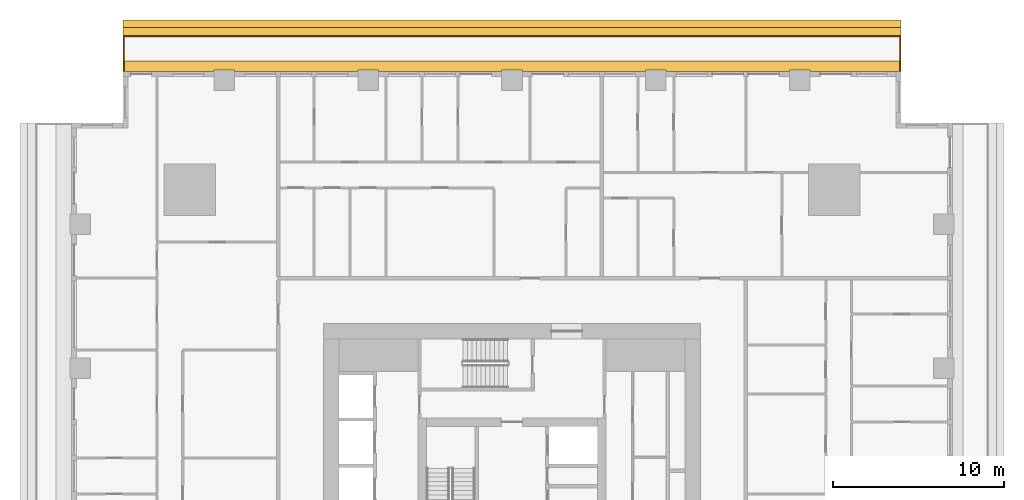
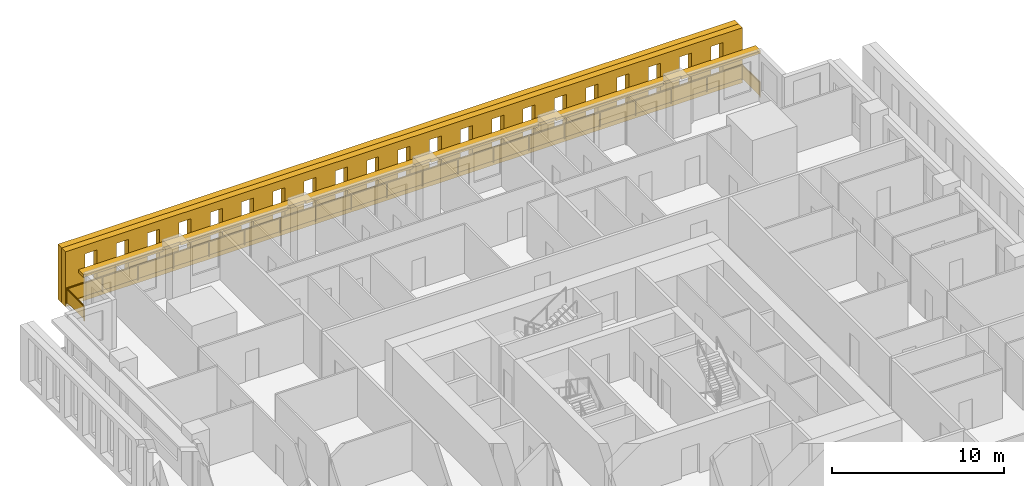
# One storey, part 15 of 15: 3 shading devices, 1 railing.
"""IFC4 building model written with IfcOpenShell, lengths in metres."""

from ifc_helpers import new_model, si_unit, direction, frame, origin, origin_2d, place, context, subcontext, project, spatial, polyline, rectangle, outline, extrude, material, layer, layer_set, type_object, element, save


model = new_model("IFC4")

# Units and contexts
model_context = context("Model", 3, precision=1e-05, world=origin(), true_north=direction((0.0, 1.0)))
body_context = subcontext(model_context, "Body", "Model", "MODEL_VIEW")
ifc_project = project(units=[si_unit("LENGTHUNIT", "METRE"), si_unit("AREAUNIT", "SQUARE_METRE"), si_unit("VOLUMEUNIT", "CUBIC_METRE"), si_unit("PLANEANGLEUNIT", "RADIAN"), si_unit("MASSUNIT", "GRAM", prefix="KILO")], contexts=[model_context])

# Site, building, storey
site_placement = place(None, origin())
site = spatial("IfcSite", under=ifc_project, at=site_placement, CompositionType="ELEMENT")
building_placement = place(site_placement, origin())
building = spatial("IfcBuilding", under=site, at=building_placement, Name="Khepri Terraces", CompositionType="ELEMENT")
storey_placement = place(building_placement, frame((0.0, 0.0, 30.89990234375)))
storey = spatial("IfcBuildingStorey", under=building, at=storey_placement, Name="L06", CompositionType="ELEMENT", Elevation=30.89990234375)

# Railing
ifc_material_1 = material(Name="Stainless steel grade 316", Category="steel")
railing_type = type_object("IfcRailingType", Name="GRD-BAL-1100", PredefinedType="GUARDRAIL", material=ifc_material_1)
railing_placement = place(storey_placement, frame((22.669921875, 25.719970703125, 0.0)))
element("IfcRailing", 1, at=railing_placement, inside=storey, type_object=railing_type, Name="Balcony guard L06 N", PredefinedType="GUARDRAIL", context=body_context, shape_type="SweptSolid", body=[
    extrude(rectangle(XDim=0.050048828125, YDim=0.06005859375, at=origin_2d()), frame((0.0, 0.0, 1.070068359375), z_axis=(0.0, 1.0, 0.0), x_axis=(-1.0, 0.0, 0.0)), (0.0, 0.0, 1.0), 2.050048828125),
    extrude(rectangle(XDim=2.0, YDim=0.011962890625, at=origin_2d()), frame((0.0, 1.02490234375, 0.10009765625), z_axis=(0.0, 0.0, 1.0), x_axis=(0.0, 1.0, 0.0)), (0.0, 0.0, 1.0), 0.93994140625),
    extrude(rectangle(XDim=0.050048828125, YDim=0.06005859375, at=origin_2d()), frame((0.0, 2.050048828125, 1.070068359375), z_axis=(-1.0, 0.0, 0.0), x_axis=(0.0, -1.0, 0.0)), (0.0, 0.0, 1.0), 45.33984375),
    extrude(rectangle(XDim=2.336181640625, YDim=0.011962890625, at=origin_2d()), frame((-1.193115234375, 2.050048828125, 0.10009765625), z_axis=(0.0, 0.0, 1.0), x_axis=(-1.0, 0.0, 0.0)), (0.0, 0.0, 1.0), 0.93994140625),
    extrude(rectangle(XDim=2.336181640625, YDim=0.011962890625, at=origin_2d()), frame((-3.579345703125, 2.050048828125, 0.10009765625), z_axis=(0.0, 0.0, 1.0), x_axis=(-1.0, 0.0, 0.0)), (0.0, 0.0, 1.0), 0.93994140625),
    extrude(rectangle(XDim=2.336181640625, YDim=0.011962890625, at=origin_2d()), frame((-5.9658203125, 2.050048828125, 0.10009765625), z_axis=(0.0, 0.0, 1.0), x_axis=(-1.0, 0.0, 0.0)), (0.0, 0.0, 1.0), 0.93994140625),
    extrude(rectangle(XDim=2.336181640625, YDim=0.011962890625, at=origin_2d()), frame((-8.35205078125, 2.050048828125, 0.10009765625), z_axis=(0.0, 0.0, 1.0), x_axis=(-1.0, 0.0, 0.0)), (0.0, 0.0, 1.0), 0.93994140625),
    extrude(rectangle(XDim=2.336181640625, YDim=0.011962890625, at=origin_2d()), frame((-10.73828125, 2.050048828125, 0.10009765625), z_axis=(0.0, 0.0, 1.0), x_axis=(-1.0, 0.0, 0.0)), (0.0, 0.0, 1.0), 0.93994140625),
    extrude(rectangle(XDim=2.336181640625, YDim=0.011962890625, at=origin_2d()), frame((-13.124755859375, 2.050048828125, 0.10009765625), z_axis=(0.0, 0.0, 1.0), x_axis=(-1.0, 0.0, 0.0)), (0.0, 0.0, 1.0), 0.93994140625),
    extrude(rectangle(XDim=2.336181640625, YDim=0.011962890625, at=origin_2d()), frame((-15.510986328125, 2.050048828125, 0.10009765625), z_axis=(0.0, 0.0, 1.0), x_axis=(-1.0, 0.0, 0.0)), (0.0, 0.0, 1.0), 0.93994140625),
    extrude(rectangle(XDim=2.336181640625, YDim=0.011962890625, at=origin_2d()), frame((-17.897216796875, 2.050048828125, 0.10009765625), z_axis=(0.0, 0.0, 1.0), x_axis=(-1.0, 0.0, 0.0)), (0.0, 0.0, 1.0), 0.93994140625),
    extrude(rectangle(XDim=2.336181640625, YDim=0.011962890625, at=origin_2d()), frame((-20.28369140625, 2.050048828125, 0.10009765625), z_axis=(0.0, 0.0, 1.0), x_axis=(-1.0, 0.0, 0.0)), (0.0, 0.0, 1.0), 0.93994140625),
    extrude(rectangle(XDim=2.336181640625, YDim=0.011962890625, at=origin_2d()), frame((-22.669921875, 2.050048828125, 0.10009765625), z_axis=(0.0, 0.0, 1.0), x_axis=(-1.0, 0.0, 0.0)), (0.0, 0.0, 1.0), 0.93994140625),
    extrude(rectangle(XDim=2.336181640625, YDim=0.011962890625, at=origin_2d()), frame((-25.05615234375, 2.050048828125, 0.10009765625), z_axis=(0.0, 0.0, 1.0), x_axis=(-1.0, 0.0, 0.0)), (0.0, 0.0, 1.0), 0.93994140625),
    extrude(rectangle(XDim=2.336181640625, YDim=0.011962890625, at=origin_2d()), frame((-27.442626953125, 2.050048828125, 0.10009765625), z_axis=(0.0, 0.0, 1.0), x_axis=(-1.0, 0.0, 0.0)), (0.0, 0.0, 1.0), 0.93994140625),
    extrude(rectangle(XDim=2.336181640625, YDim=0.011962890625, at=origin_2d()), frame((-29.828857421875, 2.050048828125, 0.10009765625), z_axis=(0.0, 0.0, 1.0), x_axis=(-1.0, 0.0, 0.0)), (0.0, 0.0, 1.0), 0.93994140625),
    extrude(rectangle(XDim=2.336181640625, YDim=0.011962890625, at=origin_2d()), frame((-32.215087890625, 2.050048828125, 0.10009765625), z_axis=(0.0, 0.0, 1.0), x_axis=(-1.0, 0.0, 0.0)), (0.0, 0.0, 1.0), 0.93994140625),
    extrude(rectangle(XDim=2.336181640625, YDim=0.011962890625, at=origin_2d()), frame((-34.6015625, 2.050048828125, 0.10009765625), z_axis=(0.0, 0.0, 1.0), x_axis=(-1.0, 0.0, 0.0)), (0.0, 0.0, 1.0), 0.93994140625),
    extrude(rectangle(XDim=2.336181640625, YDim=0.011962890625, at=origin_2d()), frame((-36.98779296875, 2.050048828125, 0.10009765625), z_axis=(0.0, 0.0, 1.0), x_axis=(-1.0, 0.0, 0.0)), (0.0, 0.0, 1.0), 0.93994140625),
    extrude(rectangle(XDim=2.336181640625, YDim=0.011962890625, at=origin_2d()), frame((-39.3740234375, 2.050048828125, 0.10009765625), z_axis=(0.0, 0.0, 1.0), x_axis=(-1.0, 0.0, 0.0)), (0.0, 0.0, 1.0), 0.93994140625),
    extrude(rectangle(XDim=2.336181640625, YDim=0.011962890625, at=origin_2d()), frame((-41.760498046875, 2.050048828125, 0.10009765625), z_axis=(0.0, 0.0, 1.0), x_axis=(-1.0, 0.0, 0.0)), (0.0, 0.0, 1.0), 0.93994140625),
    extrude(rectangle(XDim=2.336181640625, YDim=0.011962890625, at=origin_2d()), frame((-44.146728515625, 2.050048828125, 0.10009765625), z_axis=(0.0, 0.0, 1.0), x_axis=(-1.0, 0.0, 0.0)), (0.0, 0.0, 1.0), 0.93994140625),
    extrude(rectangle(XDim=0.050048828125, YDim=0.06005859375, at=origin_2d()), frame((-45.33984375, 2.050048828125, 1.070068359375), z_axis=(0.0, -1.0, 0.0), x_axis=(1.0, 0.0, 0.0)), (0.0, 0.0, 1.0), 2.050048828125),
    extrude(rectangle(XDim=2.0, YDim=0.011962890625, at=origin_2d()), frame((-45.33984375, 1.02490234375, 0.10009765625), z_axis=(0.0, 0.0, 1.0), x_axis=(0.0, -1.0, 0.0)), (0.0, 0.0, 1.0), 0.93994140625),
    extrude(rectangle(XDim=0.050048828125, YDim=0.050048828125, at=origin_2d()), origin(), (0.0, 0.0, 1.0), 1.0400390625),
    extrude(rectangle(XDim=0.050048828125, YDim=0.050048828125, at=origin_2d()), frame((0.0, 2.050048828125, 0.0)), (0.0, 0.0, 1.0), 1.0400390625),
    extrude(rectangle(XDim=0.050048828125, YDim=0.050048828125, at=origin_2d()), frame((-2.38623046875, 2.050048828125, 0.0)), (0.0, 0.0, 1.0), 1.0400390625),
    extrude(rectangle(XDim=0.050048828125, YDim=0.050048828125, at=origin_2d()), frame((-4.772705078125, 2.050048828125, 0.0)), (0.0, 0.0, 1.0), 1.0400390625),
    extrude(rectangle(XDim=0.050048828125, YDim=0.050048828125, at=origin_2d()), frame((-7.158935546875, 2.050048828125, 0.0)), (0.0, 0.0, 1.0), 1.0400390625),
    extrude(rectangle(XDim=0.050048828125, YDim=0.050048828125, at=origin_2d()), frame((-9.545166015625, 2.050048828125, 0.0)), (0.0, 0.0, 1.0), 1.0400390625),
    extrude(rectangle(XDim=0.050048828125, YDim=0.050048828125, at=origin_2d()), frame((-11.931640625, 2.050048828125, 0.0)), (0.0, 0.0, 1.0), 1.0400390625),
    extrude(rectangle(XDim=0.050048828125, YDim=0.050048828125, at=origin_2d()), frame((-14.31787109375, 2.050048828125, 0.0)), (0.0, 0.0, 1.0), 1.0400390625),
    extrude(rectangle(XDim=0.050048828125, YDim=0.050048828125, at=origin_2d()), frame((-16.7041015625, 2.050048828125, 0.0)), (0.0, 0.0, 1.0), 1.0400390625),
    extrude(rectangle(XDim=0.050048828125, YDim=0.050048828125, at=origin_2d()), frame((-19.090576171875, 2.050048828125, 0.0)), (0.0, 0.0, 1.0), 1.0400390625),
    extrude(rectangle(XDim=0.050048828125, YDim=0.050048828125, at=origin_2d()), frame((-21.476806640625, 2.050048828125, 0.0)), (0.0, 0.0, 1.0), 1.0400390625),
    extrude(rectangle(XDim=0.050048828125, YDim=0.050048828125, at=origin_2d()), frame((-23.863037109375, 2.050048828125, 0.0)), (0.0, 0.0, 1.0), 1.0400390625),
    extrude(rectangle(XDim=0.050048828125, YDim=0.050048828125, at=origin_2d()), frame((-26.249267578125, 2.050048828125, 0.0)), (0.0, 0.0, 1.0), 1.0400390625),
    extrude(rectangle(XDim=0.050048828125, YDim=0.050048828125, at=origin_2d()), frame((-28.6357421875, 2.050048828125, 0.0)), (0.0, 0.0, 1.0), 1.0400390625),
    extrude(rectangle(XDim=0.050048828125, YDim=0.050048828125, at=origin_2d()), frame((-31.02197265625, 2.050048828125, 0.0)), (0.0, 0.0, 1.0), 1.0400390625),
    extrude(rectangle(XDim=0.050048828125, YDim=0.050048828125, at=origin_2d()), frame((-33.408203125, 2.050048828125, 0.0)), (0.0, 0.0, 1.0), 1.0400390625),
    extrude(rectangle(XDim=0.050048828125, YDim=0.050048828125, at=origin_2d()), frame((-35.794677734375, 2.050048828125, 0.0)), (0.0, 0.0, 1.0), 1.0400390625),
    extrude(rectangle(XDim=0.050048828125, YDim=0.050048828125, at=origin_2d()), frame((-38.180908203125, 2.050048828125, 0.0)), (0.0, 0.0, 1.0), 1.0400390625),
    extrude(rectangle(XDim=0.050048828125, YDim=0.050048828125, at=origin_2d()), frame((-40.567138671875, 2.050048828125, 0.0)), (0.0, 0.0, 1.0), 1.0400390625),
    extrude(rectangle(XDim=0.050048828125, YDim=0.050048828125, at=origin_2d()), frame((-42.95361328125, 2.050048828125, 0.0)), (0.0, 0.0, 1.0), 1.0400390625),
    extrude(rectangle(XDim=0.050048828125, YDim=0.050048828125, at=origin_2d()), frame((-45.33984375, 2.050048828125, 0.0)), (0.0, 0.0, 1.0), 1.0400390625),
    extrude(rectangle(XDim=0.050048828125, YDim=0.050048828125, at=origin_2d()), frame((-45.33984375, 0.0, 0.0)), (0.0, 0.0, 1.0), 1.0400390625),
])

# Shading devices
ifc_material_2 = material(Name="Precast concrete C50/60 warm stone", Category="masonry")
shading_device_type_1 = type_object("IfcShadingDeviceType", Name="SCR-CELL-INNER-450", PredefinedType="USERDEFINED", material=ifc_material_2)
shading_device_1_placement = place(storey_placement, frame((22.719970703125, 27.820068359375, -0.25), z_axis=(0.0, 1.0, 0.0), x_axis=(-1.0, 0.0, 0.0)))
element("IfcShadingDevice", 2, at=shading_device_1_placement, inside=storey, type_object=shading_device_type_1, Name="Cell screen L06 N in", ObjectType="SCREEN", PredefinedType="USERDEFINED", context=body_context, shape_type="SweptSolid", body=[
    extrude(outline(polyline([(0.0, 0.0), (45.43994140625, 0.0), (45.43994140625, 3.89990234375), (0.0, 3.89990234375), (0.0, 0.0)]), holes=[polyline([(1.318359375, 0.699951171875), (2.12158203125, 0.699951171875), (2.12158203125, 3.300048828125), (1.318359375, 3.300048828125), (1.318359375, 0.699951171875)]), polyline([(3.41845703125, 0.699951171875), (4.2216796875, 0.699951171875), (4.2216796875, 3.300048828125), (3.41845703125, 3.300048828125), (3.41845703125, 0.699951171875)]), polyline([(5.518310546875, 0.699951171875), (6.321533203125, 0.699951171875), (6.321533203125, 3.300048828125), (5.518310546875, 3.300048828125), (5.518310546875, 0.699951171875)]), polyline([(7.618408203125, 0.699951171875), (8.421630859375, 0.699951171875), (8.421630859375, 3.300048828125), (7.618408203125, 3.300048828125), (7.618408203125, 0.699951171875)]), polyline([(9.718505859375, 0.699951171875), (10.521484375, 0.699951171875), (10.521484375, 3.300048828125), (9.718505859375, 3.300048828125), (9.718505859375, 0.699951171875)]), polyline([(11.818359375, 0.699951171875), (12.62158203125, 0.699951171875), (12.62158203125, 3.300048828125), (11.818359375, 3.300048828125), (11.818359375, 0.699951171875)]), polyline([(13.91845703125, 0.699951171875), (14.7216796875, 0.699951171875), (14.7216796875, 3.300048828125), (13.91845703125, 3.300048828125), (13.91845703125, 0.699951171875)]), polyline([(16.018310546875, 0.699951171875), (16.821533203125, 0.699951171875), (16.821533203125, 3.300048828125), (16.018310546875, 3.300048828125), (16.018310546875, 0.699951171875)]), polyline([(18.118408203125, 0.699951171875), (18.921630859375, 0.699951171875), (18.921630859375, 3.300048828125), (18.118408203125, 3.300048828125), (18.118408203125, 0.699951171875)]), polyline([(20.218505859375, 0.699951171875), (21.021484375, 0.699951171875), (21.021484375, 3.300048828125), (20.218505859375, 3.300048828125), (20.218505859375, 0.699951171875)]), polyline([(22.318359375, 0.699951171875), (23.12158203125, 0.699951171875), (23.12158203125, 3.300048828125), (22.318359375, 3.300048828125), (22.318359375, 0.699951171875)]), polyline([(24.41845703125, 0.699951171875), (25.2216796875, 0.699951171875), (25.2216796875, 3.300048828125), (24.41845703125, 3.300048828125), (24.41845703125, 0.699951171875)]), polyline([(26.518310546875, 0.699951171875), (27.321533203125, 0.699951171875), (27.321533203125, 3.300048828125), (26.518310546875, 3.300048828125), (26.518310546875, 0.699951171875)]), polyline([(28.618408203125, 0.699951171875), (29.421630859375, 0.699951171875), (29.421630859375, 3.300048828125), (28.618408203125, 3.300048828125), (28.618408203125, 0.699951171875)]), polyline([(30.718505859375, 0.699951171875), (31.521484375, 0.699951171875), (31.521484375, 3.300048828125), (30.718505859375, 3.300048828125), (30.718505859375, 0.699951171875)]), polyline([(32.818359375, 0.699951171875), (33.62158203125, 0.699951171875), (33.62158203125, 3.300048828125), (32.818359375, 3.300048828125), (32.818359375, 0.699951171875)]), polyline([(34.91845703125, 0.699951171875), (35.7216796875, 0.699951171875), (35.7216796875, 3.300048828125), (34.91845703125, 3.300048828125), (34.91845703125, 0.699951171875)]), polyline([(37.018310546875, 0.699951171875), (37.821533203125, 0.699951171875), (37.821533203125, 3.300048828125), (37.018310546875, 3.300048828125), (37.018310546875, 0.699951171875)]), polyline([(39.118408203125, 0.699951171875), (39.921630859375, 0.699951171875), (39.921630859375, 3.300048828125), (39.118408203125, 3.300048828125), (39.118408203125, 0.699951171875)]), polyline([(41.218505859375, 0.699951171875), (42.021484375, 0.699951171875), (42.021484375, 3.300048828125), (41.218505859375, 3.300048828125), (41.218505859375, 0.699951171875)]), polyline([(43.318359375, 0.699951171875), (44.12158203125, 0.699951171875), (44.12158203125, 3.300048828125), (43.318359375, 3.300048828125), (43.318359375, 0.699951171875)])]), origin(), (0.0, 0.0, 1.0), 0.449951171875),
])
shading_device_type_2 = type_object("IfcShadingDeviceType", Name="SCR-CELL-OUTER-450", PredefinedType="USERDEFINED", material=ifc_material_2)
shading_device_2_placement = place(storey_placement, frame((22.719970703125, 28.27001953125, -0.25), z_axis=(0.0, 1.0, 0.0), x_axis=(-1.0, 0.0, 0.0)))
element("IfcShadingDevice", 3, at=shading_device_2_placement, inside=storey, type_object=shading_device_type_2, Name="Cell screen L06 N out", ObjectType="SCREEN", PredefinedType="USERDEFINED", context=body_context, shape_type="SweptSolid", body=[
    extrude(outline(polyline([(0.0, 0.0), (45.43994140625, 0.0), (45.43994140625, 3.89990234375), (0.0, 3.89990234375), (0.0, 0.0)]), holes=[polyline([(0.968505859375, 0.449951171875), (2.4716796875, 0.449951171875), (2.4716796875, 3.550048828125), (0.968505859375, 3.550048828125), (0.968505859375, 0.449951171875)]), polyline([(3.068359375, 0.449951171875), (4.571533203125, 0.449951171875), (4.571533203125, 3.550048828125), (3.068359375, 3.550048828125), (3.068359375, 0.449951171875)]), polyline([(5.16845703125, 0.449951171875), (6.671630859375, 0.449951171875), (6.671630859375, 3.550048828125), (5.16845703125, 3.550048828125), (5.16845703125, 0.449951171875)]), polyline([(7.268310546875, 0.449951171875), (8.771484375, 0.449951171875), (8.771484375, 3.550048828125), (7.268310546875, 3.550048828125), (7.268310546875, 0.449951171875)]), polyline([(9.368408203125, 0.449951171875), (10.87158203125, 0.449951171875), (10.87158203125, 3.550048828125), (9.368408203125, 3.550048828125), (9.368408203125, 0.449951171875)]), polyline([(11.468505859375, 0.449951171875), (12.9716796875, 0.449951171875), (12.9716796875, 3.550048828125), (11.468505859375, 3.550048828125), (11.468505859375, 0.449951171875)]), polyline([(13.568359375, 0.449951171875), (15.071533203125, 0.449951171875), (15.071533203125, 3.550048828125), (13.568359375, 3.550048828125), (13.568359375, 0.449951171875)]), polyline([(15.66845703125, 0.449951171875), (17.171630859375, 0.449951171875), (17.171630859375, 3.550048828125), (15.66845703125, 3.550048828125), (15.66845703125, 0.449951171875)]), polyline([(17.768310546875, 0.449951171875), (19.271484375, 0.449951171875), (19.271484375, 3.550048828125), (17.768310546875, 3.550048828125), (17.768310546875, 0.449951171875)]), polyline([(19.868408203125, 0.449951171875), (21.37158203125, 0.449951171875), (21.37158203125, 3.550048828125), (19.868408203125, 3.550048828125), (19.868408203125, 0.449951171875)]), polyline([(21.968505859375, 0.449951171875), (23.4716796875, 0.449951171875), (23.4716796875, 3.550048828125), (21.968505859375, 3.550048828125), (21.968505859375, 0.449951171875)]), polyline([(24.068359375, 0.449951171875), (25.571533203125, 0.449951171875), (25.571533203125, 3.550048828125), (24.068359375, 3.550048828125), (24.068359375, 0.449951171875)]), polyline([(26.16845703125, 0.449951171875), (27.671630859375, 0.449951171875), (27.671630859375, 3.550048828125), (26.16845703125, 3.550048828125), (26.16845703125, 0.449951171875)]), polyline([(28.268310546875, 0.449951171875), (29.771484375, 0.449951171875), (29.771484375, 3.550048828125), (28.268310546875, 3.550048828125), (28.268310546875, 0.449951171875)]), polyline([(30.368408203125, 0.449951171875), (31.87158203125, 0.449951171875), (31.87158203125, 3.550048828125), (30.368408203125, 3.550048828125), (30.368408203125, 0.449951171875)]), polyline([(32.468505859375, 0.449951171875), (33.9716796875, 0.449951171875), (33.9716796875, 3.550048828125), (32.468505859375, 3.550048828125), (32.468505859375, 0.449951171875)]), polyline([(34.568359375, 0.449951171875), (36.071533203125, 0.449951171875), (36.071533203125, 3.550048828125), (34.568359375, 3.550048828125), (34.568359375, 0.449951171875)]), polyline([(36.66845703125, 0.449951171875), (38.171630859375, 0.449951171875), (38.171630859375, 3.550048828125), (36.66845703125, 3.550048828125), (36.66845703125, 0.449951171875)]), polyline([(38.768310546875, 0.449951171875), (40.271484375, 0.449951171875), (40.271484375, 3.550048828125), (38.768310546875, 3.550048828125), (38.768310546875, 0.449951171875)]), polyline([(40.868408203125, 0.449951171875), (42.37158203125, 0.449951171875), (42.37158203125, 3.550048828125), (40.868408203125, 3.550048828125), (40.868408203125, 0.449951171875)]), polyline([(42.968505859375, 0.449951171875), (44.4716796875, 0.449951171875), (44.4716796875, 3.550048828125), (42.968505859375, 3.550048828125), (42.968505859375, 0.449951171875)])]), origin(), (0.0, 0.0, 1.0), 0.449951171875),
])
ifc_layer = layer(ifc_material_2, 0.199951171875, Name="Precast concrete C50/60 warm stone", Category="masonry")
ifc_layer_set = layer_set([ifc_layer], Name="Precast concrete C50/60 warm stone")
shading_device_type_3 = type_object("IfcShadingDeviceType", Name="SSH-BAND-STONE-200-N", PredefinedType="USERDEFINED", material=ifc_layer_set)
shading_device_3_placement = place(storey_placement, frame((0.0, 0.0, 3.10009765625)))
element("IfcShadingDevice", 4, at=shading_device_3_placement, inside=storey, type_object=shading_device_type_3, Name="Sunshade band L06 N", ObjectType="SUNSHADE", PredefinedType="USERDEFINED", context=body_context, shape_type="SweptSolid", body=[
    extrude(outline(polyline([(17.39990234375, 25.719970703125), (22.719970703125, 25.719970703125), (22.719970703125, 26.320068359375), (-22.719970703125, 26.320068359375), (-22.719970703125, 25.719970703125), (-17.39990234375, 25.719970703125), (-17.39990234375, 25.800048828125), (-16.199951171875, 25.800048828125), (-16.199951171875, 25.719970703125), (-9.0, 25.719970703125), (-9.0, 25.800048828125), (-7.800048828125, 25.800048828125), (-7.800048828125, 25.719970703125), (-0.60009765625, 25.719970703125), (-0.60009765625, 25.800048828125), (0.60009765625, 25.800048828125), (0.60009765625, 25.719970703125), (7.800048828125, 25.719970703125), (7.800048828125, 25.800048828125), (9.0, 25.800048828125), (9.0, 25.719970703125), (16.199951171875, 25.719970703125), (16.199951171875, 25.800048828125), (17.39990234375, 25.800048828125), (17.39990234375, 25.719970703125)])), origin(), (0.0, 0.0, 1.0), 0.199951171875),
])

save(model, "model.ifc")
